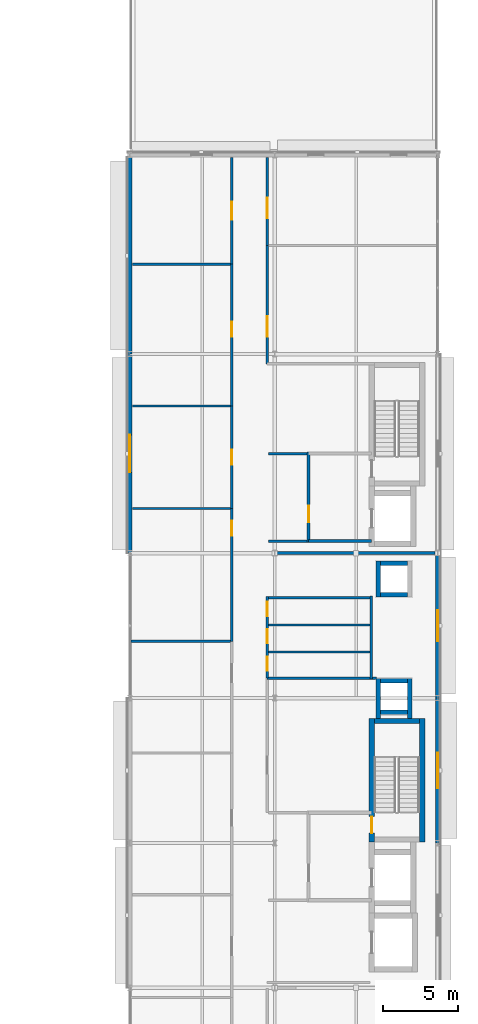
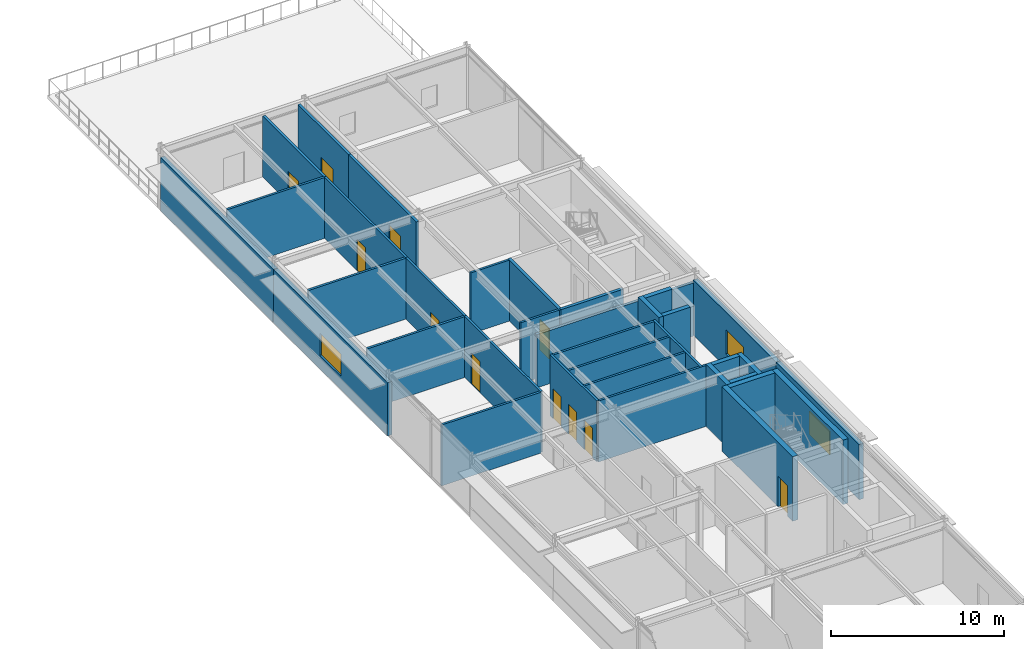
# One storey, part 16 of 22: 35 walls, 11 doors, 3 windows, 14 openings.
"""IFC4 building model written with IfcOpenShell, lengths in metres."""

from ifc_helpers import new_model, si_unit, direction, frame, frame_2d, origin, place, context, subcontext, project, spatial, rectangle, extrude, material, layer, layer_set, type_object, element, fill, save


model = new_model("IFC4")

# Units and contexts
model_context = context("Model", 3, precision=1e-05, world=origin(), true_north=direction((0.0, 1.0)))
body_context = subcontext(model_context, "Body", "Model", "MODEL_VIEW")
ifc_project = project(units=[si_unit("LENGTHUNIT", "METRE"), si_unit("AREAUNIT", "SQUARE_METRE"), si_unit("VOLUMEUNIT", "CUBIC_METRE"), si_unit("PLANEANGLEUNIT", "RADIAN"), si_unit("MASSUNIT", "GRAM", prefix="KILO")], contexts=[model_context])

# Site, building, storey
site_placement = place(None, origin())
site = spatial("IfcSite", under=ifc_project, at=site_placement, CompositionType="ELEMENT")
building_placement = place(site_placement, origin())
building = spatial("IfcBuilding", under=site, at=building_placement, Name="Almandine Court Research Institute", CompositionType="ELEMENT")
storey_placement = place(building_placement, frame((0.0, 0.0, 28.0)))
storey = spatial("IfcBuildingStorey", under=building, at=storey_placement, Name="L06", CompositionType="ELEMENT", Elevation=28.0)

# Wall, opening, window
ifc_material_1 = material(Name="Insulated Ochre Terracotta Rainscreen Wall", Category="masonry")
ifc_layer_1 = layer(ifc_material_1, 0.2900390625)
ifc_layer_set_1 = layer_set([ifc_layer_1], Name="Insulated Ochre Terracotta Rainscreen Wall")
wall_type_1 = type_object("IfcWallType", Name="Wall-EXT-TERR-290", PredefinedType="SOLIDWALL", material=ifc_layer_set_1)
wall_1_placement = place(storey_placement, frame((153.60009765625, 44.404052734375, 0.0), z_axis=(0.0, 0.0, 1.0), x_axis=(0.0, 1.0, 0.0)))
wall_1 = element("IfcWall", 1, at=wall_1_placement, inside=storey, type_object=wall_type_1, Name="L06 Wet Lab West Facade Wall 5", PredefinedType="SOLIDWALL", context=body_context, shape_type="SweptSolid", body=[
    extrude(rectangle(XDim=13.19189453125, YDim=0.2900390625, at=frame_2d((6.595947265625, 0.0))), origin(), (0.0, 0.0, 1.0), 3.757080078125),
])
opening_1_placement = place(wall_1_placement, frame((5.35595703125, 0.0, 0.949951171875)))
opening_1 = element("IfcOpeningElement", 2, at=opening_1_placement, cuts=wall_1, Name="Opening WN-70", PredefinedType="OPENING", context=body_context, shape_type="SweptSolid", body=[
    extrude(rectangle(XDim=2.47998046875, YDim=1.56005859375, at=frame_2d((1.239990234375, 0.780029296875))), frame((0.0, 0.155029296875, 0.0), z_axis=(0.0, -1.0, 0.0), x_axis=(1.0, 0.0, 0.0)), (0.0, 0.0, 1.0), 0.31005859375),
])
ifc_material_2 = material(Name="Thermally Broken Low-E Double-Glazed Window", Category="glass")
window_type_1 = type_object("IfcWindowType", Name="Win-WN-70-2480x1560", PartitioningType="SINGLE_PANEL", PredefinedType="WINDOW", material=ifc_material_2)
window_1_placement = place(opening_1_placement, origin())
window_1 = element("IfcWindow", 3, at=window_1_placement, inside=storey, type_object=window_type_1, Name="L06 Modular Recessed Low-E Window 159", OverallHeight=1.56005859375, OverallWidth=2.47998046875, PartitioningType="SINGLE_PANEL", PredefinedType="WINDOW", context=body_context, shape_type="SweptSolid", body=[
    extrude(rectangle(XDim=2.47998046875, YDim=1.56005859375, at=frame_2d((1.239990234375, 0.780029296875))), frame((0.0, 0.030029296875, 0.0), z_axis=(0.0, -1.0, 0.0), x_axis=(1.0, 0.0, 0.0)), (0.0, 0.0, 1.0), 0.06005859375),
])
fill(opening_1, window_1)

# Wall
wall_2_placement = place(storey_placement, frame((153.60009765625, 57.60400390625, 0.0), z_axis=(0.0, 0.0, 1.0), x_axis=(0.0, 1.0, 0.0)))
element("IfcWall", 4, at=wall_2_placement, inside=storey, type_object=wall_type_1, Name="L06 Wet Lab West Facade Wall 6", PredefinedType="SOLIDWALL", context=body_context, shape_type="SweptSolid", body=[
    extrude(rectangle(XDim=13.046875, YDim=0.2900390625, at=frame_2d((6.5234375, 0.0))), origin(), (0.0, 0.0, 1.0), 3.757080078125),
])

# Wall, opening, window
wall_3_placement = place(storey_placement, frame((174.0, 44.39599609375, 0.0), z_axis=(0.0, 0.0, 1.0), x_axis=(0.0, -1.0, 0.0)))
wall_3 = element("IfcWall", 5, at=wall_3_placement, inside=storey, type_object=wall_type_1, Name="L06 Wet Lab East Facade Wall 4", PredefinedType="SOLIDWALL", context=body_context, shape_type="SweptSolid", body=[
    extrude(rectangle(XDim=9.592041015625, YDim=0.2900390625, at=frame_2d((4.7958984375, 0.0))), origin(), (0.0, 0.0, 1.0), 3.89892578125),
])
opening_2_placement = place(wall_3_placement, frame((3.77587890625, 0.0, 0.949951171875)))
opening_2 = element("IfcOpeningElement", 6, at=opening_2_placement, cuts=wall_3, Name="Opening WN-87", PredefinedType="OPENING", context=body_context, shape_type="SweptSolid", body=[
    extrude(rectangle(XDim=2.0400390625, YDim=1.719970703125, at=frame_2d((1.02001953125, 0.85986328125))), frame((0.0, 0.155029296875, 0.0), z_axis=(0.0, -1.0, 0.0), x_axis=(1.0, 0.0, 0.0)), (0.0, 0.0, 1.0), 0.31005859375),
])
window_type_2 = type_object("IfcWindowType", Name="Win-WN-87-2040x1720", PartitioningType="SINGLE_PANEL", PredefinedType="WINDOW", material=ifc_material_2)
window_2_placement = place(opening_2_placement, origin())
window_2 = element("IfcWindow", 7, at=window_2_placement, inside=storey, type_object=window_type_2, Name="L06 Modular Recessed Low-E Window 163", OverallHeight=1.719970703125, OverallWidth=2.0400390625, PartitioningType="SINGLE_PANEL", PredefinedType="WINDOW", context=body_context, shape_type="SweptSolid", body=[
    extrude(rectangle(XDim=2.0400390625, YDim=1.719970703125, at=frame_2d((1.02001953125, 0.85986328125))), frame((0.0, 0.030029296875, 0.0), z_axis=(0.0, -1.0, 0.0), x_axis=(1.0, 0.0, 0.0)), (0.0, 0.0, 1.0), 0.06005859375),
])
fill(opening_2, window_2)

wall_4_placement = place(storey_placement, frame((174.0, 34.7958984375, 0.0), z_axis=(0.0, 0.0, 1.0), x_axis=(0.0, -1.0, 0.0)))
wall_4 = element("IfcWall", 8, at=wall_4_placement, inside=storey, type_object=wall_type_1, Name="L06 Wet Lab East Facade Wall 3", PredefinedType="SOLIDWALL", context=body_context, shape_type="SweptSolid", body=[
    extrude(rectangle(XDim=9.591796875, YDim=0.2900390625, at=frame_2d((4.7958984375, 0.0))), origin(), (0.0, 0.0, 1.0), 3.89892578125),
])
opening_3_placement = place(wall_4_placement, frame((3.611083984375, 0.0, 0.949951171875)))
opening_3 = element("IfcOpeningElement", 9, at=opening_3_placement, cuts=wall_4, Name="Opening WN-88", PredefinedType="OPENING", context=body_context, shape_type="SweptSolid", body=[
    extrude(rectangle(XDim=2.3701171875, YDim=1.639892578125, at=frame_2d((1.18505859375, 0.81982421875))), frame((0.0, 0.155029296875, 0.0), z_axis=(0.0, -1.0, 0.0), x_axis=(1.0, 0.0, 0.0)), (0.0, 0.0, 1.0), 0.31005859375),
])
window_type_3 = type_object("IfcWindowType", Name="Win-WN-88-2370x1640", PartitioningType="SINGLE_PANEL", PredefinedType="WINDOW", material=ifc_material_2)
window_3_placement = place(opening_3_placement, origin())
window_3 = element("IfcWindow", 10, at=window_3_placement, inside=storey, type_object=window_type_3, Name="L06 Modular Recessed Low-E Window 164", OverallHeight=1.639892578125, OverallWidth=2.3701171875, PartitioningType="SINGLE_PANEL", PredefinedType="WINDOW", context=body_context, shape_type="SweptSolid", body=[
    extrude(rectangle(XDim=2.3701171875, YDim=1.639892578125, at=frame_2d((1.18505859375, 0.81982421875))), frame((0.0, 0.030029296875, 0.0), z_axis=(0.0, -1.0, 0.0), x_axis=(1.0, 0.0, 0.0)), (0.0, 0.0, 1.0), 0.06005859375),
])
fill(opening_3, window_3)

# Wall, opening, door
ifc_material_3 = material(Name="One-Hour Fire-Rated Laboratory Partition")
ifc_layer_2 = layer(ifc_material_3, 0.175048828125)
ifc_layer_set_2 = layer_set([ifc_layer_2], Name="One-Hour Fire-Rated Laboratory Partition")
wall_type_2 = type_object("IfcWallType", Name="Wall-FIRE-175", PredefinedType="PARTITIONING", material=ifc_layer_set_2)
wall_5_placement = place(storey_placement, frame((160.35009765625, 63.56005859375, 0.0), z_axis=(0.0, 0.0, 1.0), x_axis=(0.0, 1.0, 0.0)))
wall_5 = element("IfcWall", 11, at=wall_5_placement, inside=storey, type_object=wall_type_2, Name="L06 Interior Partition W-V4-L06-WW-7", PredefinedType="PARTITIONING", context=body_context, shape_type="SweptSolid", body=[
    extrude(rectangle(XDim=7.079833984375, YDim=0.175048828125, at=frame_2d((3.5400390625, 0.0))), origin(), (0.0, 0.0, 1.0), 4.300048828125),
])
opening_4_placement = place(wall_5_placement, frame((2.93994140625, 0.0, 0.0)))
opening_4 = element("IfcOpeningElement", 12, at=opening_4_placement, cuts=wall_5, Name="Opening FD-LAB", PredefinedType="OPENING", context=body_context, shape_type="SweptSolid", body=[
    extrude(rectangle(XDim=1.199951171875, YDim=2.199951171875, at=frame_2d((0.60009765625, 1.10009765625))), frame((0.0, 0.097412109375, 0.0), z_axis=(0.0, -1.0, 0.0), x_axis=(1.0, 0.0, 0.0)), (0.0, 0.0, 1.0), 0.195068359375),
])
ifc_material_4 = material(Name="Fire-Rated Laboratory Containment Door")
door_type_1 = type_object("IfcDoorType", Name="Door-FD-LAB-1200", OperationType="NOTDEFINED", PredefinedType="DOOR", material=ifc_material_4)
door_1_placement = place(opening_4_placement, origin())
door_1 = element("IfcDoor", 13, at=door_1_placement, inside=storey, type_object=door_type_1, Name="L06 Wet Chemistry Laboratory Door", OperationType="SINGLE_SWING_RIGHT", OverallHeight=2.199951171875, OverallWidth=1.199951171875, PredefinedType="DOOR", context=body_context, shape_type="SweptSolid", body=[
    extrude(rectangle(XDim=1.199951171875, YDim=2.199951171875, at=frame_2d((0.60009765625, 1.10009765625))), frame((0.0, 0.02490234375, 0.0), z_axis=(0.0, -1.0, 0.0), x_axis=(1.0, 0.0, 0.0)), (0.0, 0.0, 1.0), 0.050048828125),
])
fill(opening_4, door_1)

wall_6_placement = place(storey_placement, frame((162.699951171875, 56.949951171875, 0.0), z_axis=(0.0, 0.0, 1.0), x_axis=(0.0, 1.0, 0.0)))
wall_6 = element("IfcWall", 14, at=wall_6_placement, inside=storey, type_object=wall_type_2, Name="L06 Interior Partition W-V4-L06-EW-N1", PredefinedType="PARTITIONING", context=body_context, shape_type="SweptSolid", body=[
    extrude(rectangle(XDim=7.844970703125, YDim=0.175048828125, at=frame_2d((3.92236328125, 0.0))), origin(), (0.0, 0.0, 1.0), 4.300048828125),
])
opening_5_placement = place(wall_6_placement, frame((1.800048828125, 0.0, 0.0)))
opening_5 = element("IfcOpeningElement", 15, at=opening_5_placement, cuts=wall_6, Name="Opening FD-LB2", PredefinedType="OPENING", context=body_context, shape_type="SweptSolid", body=[
    extrude(rectangle(XDim=1.35009765625, YDim=2.199951171875, at=frame_2d((0.675048828125, 1.10009765625))), frame((0.0, 0.097412109375, 0.0), z_axis=(0.0, -1.0, 0.0), x_axis=(1.0, 0.0, 0.0)), (0.0, 0.0, 1.0), 0.195068359375),
])
ifc_material_5 = material(Name="Wide Fire-Rated Cleanroom and Lab Door")
door_type_2 = type_object("IfcDoorType", Name="Door-FD-LAB-1350", OperationType="NOTDEFINED", PredefinedType="DOOR", material=ifc_material_5)
door_2_placement = place(opening_5_placement, origin())
door_2 = element("IfcDoor", 16, at=door_2_placement, inside=storey, type_object=door_type_2, Name="L06 East Wet Chemistry Lab Door", OperationType="SINGLE_SWING_LEFT", OverallHeight=2.199951171875, OverallWidth=1.35009765625, PredefinedType="DOOR", context=body_context, shape_type="SweptSolid", body=[
    extrude(rectangle(XDim=1.35009765625, YDim=2.199951171875, at=frame_2d((0.675048828125, 1.10009765625))), frame((0.0, 0.02490234375, 0.0), z_axis=(0.0, -1.0, 0.0), x_axis=(1.0, 0.0, 0.0)), (0.0, 0.0, 1.0), 0.050048828125),
])
fill(opening_5, door_2)

wall_7_placement = place(storey_placement, frame((162.699951171875, 64.794921875, 0.0), z_axis=(0.0, 0.0, 1.0), x_axis=(0.0, 1.0, 0.0)))
wall_7 = element("IfcWall", 17, at=wall_7_placement, inside=storey, type_object=wall_type_2, Name="L06 Interior Partition W-V4-L06-EW-N2", PredefinedType="PARTITIONING", context=body_context, shape_type="SweptSolid", body=[
    extrude(rectangle(XDim=5.844970703125, YDim=0.175048828125, at=frame_2d((2.92236328125, 0.0))), origin(), (0.0, 0.0, 1.0), 4.300048828125),
])
opening_6_placement = place(wall_7_placement, frame((1.800048828125, 0.0, 0.0)))
opening_6 = element("IfcOpeningElement", 18, at=opening_6_placement, cuts=wall_7, Name="Opening FD-LB2", PredefinedType="OPENING", context=body_context, shape_type="SweptSolid", body=[
    extrude(rectangle(XDim=1.35009765625, YDim=2.199951171875, at=frame_2d((0.675048828125, 1.10009765625))), frame((0.0, 0.097412109375, 0.0), z_axis=(0.0, -1.0, 0.0), x_axis=(1.0, 0.0, 0.0)), (0.0, 0.0, 1.0), 0.195068359375),
])
door_3_placement = place(opening_6_placement, origin())
door_3 = element("IfcDoor", 19, at=door_3_placement, inside=storey, type_object=door_type_2, Name="L06 East BSL-2 Lab Door", OperationType="SINGLE_SWING_RIGHT", OverallHeight=2.199951171875, OverallWidth=1.35009765625, PredefinedType="DOOR", context=body_context, shape_type="SweptSolid", body=[
    extrude(rectangle(XDim=1.35009765625, YDim=2.199951171875, at=frame_2d((0.675048828125, 1.10009765625))), frame((0.0, 0.02490234375, 0.0), z_axis=(0.0, -1.0, 0.0), x_axis=(1.0, 0.0, 0.0)), (0.0, 0.0, 1.0), 0.050048828125),
])
fill(opening_6, door_3)

# Wall
ifc_material_6 = material(Name="Two-Hour Fire-Barrier Enclosure Wall")
ifc_layer_3 = layer(ifc_material_6, 0.199951171875)
ifc_layer_set_3 = layer_set([ifc_layer_3], Name="Two-Hour Fire-Barrier Enclosure Wall")
wall_type_3 = type_object("IfcWallType", Name="Wall-FIRE-200", PredefinedType="SOLIDWALL", material=ifc_layer_set_3)
wall_8_placement = place(storey_placement, frame((163.360107421875, 44.39990234375, 0.0), z_axis=(0.0, 0.0, 1.0), x_axis=(1.0, 0.0, 0.0)))
element("IfcWall", 20, at=wall_8_placement, inside=storey, type_object=wall_type_3, Name="L06 Interior Partition W-BF-V4-BF2-L06", PredefinedType="SOLIDWALL", context=body_context, shape_type="SweptSolid", body=[
    extrude(rectangle(XDim=10.47998046875, YDim=0.199951171875, at=frame_2d((5.239990234375, 0.0))), origin(), (0.0, 0.0, 1.0), 3.7529296875),
])

# Wall, opening, door
wall_9_placement = place(storey_placement, frame((165.449951171875, 45.10009765625, 0.0), z_axis=(0.0, 0.0, 1.0), x_axis=(0.0, 1.0, 0.0)))
wall_9 = element("IfcWall", 21, at=wall_9_placement, inside=storey, type_object=wall_type_3, Name="L06 Interior Partition W-FFL2-L06-W", PredefinedType="SOLIDWALL", context=body_context, shape_type="SweptSolid", body=[
    extrude(rectangle(XDim=6.0, YDim=0.199951171875, at=frame_2d((3.0, 0.0))), origin(), (0.0, 0.0, 1.0), 4.300048828125),
])
opening_7_placement = place(wall_9_placement, frame((1.35009765625, 0.0, 0.0)))
opening_7 = element("IfcOpeningElement", 22, at=opening_7_placement, cuts=wall_9, Name="Opening FD-FFL", PredefinedType="OPENING", context=body_context, shape_type="SweptSolid", body=[
    extrude(rectangle(XDim=1.10009765625, YDim=2.14990234375, at=frame_2d((0.550048828125, 1.074951171875))), frame((0.0, 0.10986328125, 0.0), z_axis=(0.0, -1.0, 0.0), x_axis=(1.0, 0.0, 0.0)), (0.0, 0.0, 1.0), 0.219970703125),
])
ifc_material_7 = material(Name="Smoke-Tight Firefighting Lobby Fire Door")
door_type_3 = type_object("IfcDoorType", Name="Door-FD-FFL-1100", OperationType="NOTDEFINED", PredefinedType="DOOR", material=ifc_material_7)
door_4_placement = place(opening_7_placement, origin())
door_4 = element("IfcDoor", 23, at=door_4_placement, inside=storey, type_object=door_type_3, Name="L06 Firefighting Lobby Fire Door 2", OperationType="SINGLE_SWING_RIGHT", OverallHeight=2.14990234375, OverallWidth=1.10009765625, PredefinedType="DOOR", context=body_context, shape_type="SweptSolid", body=[
    extrude(rectangle(XDim=1.10009765625, YDim=2.14990234375, at=frame_2d((0.550048828125, 1.074951171875))), frame((0.0, 0.02490234375, 0.0), z_axis=(0.0, -1.0, 0.0), x_axis=(1.0, 0.0, 0.0)), (0.0, 0.0, 1.0), 0.050048828125),
])
fill(opening_7, door_4)

# Walls
wall_10_placement = place(storey_placement, frame((165.449951171875, 45.199951171875, 0.0), z_axis=(0.0, 0.0, 1.0), x_axis=(1.0, 0.0, 0.0)))
element("IfcWall", 24, at=wall_10_placement, inside=storey, type_object=wall_type_3, Name="L06 Interior Partition W-FFL2-L06-S", PredefinedType="SOLIDWALL", context=body_context, shape_type="SweptSolid", body=[
    extrude(rectangle(XDim=4.150146484375, YDim=0.199951171875, at=frame_2d((2.0751953125, 0.0))), origin(), (0.0, 0.0, 1.0), 4.300048828125),
])
ifc_material_8 = material(Name="Acoustic Steel-Stud Gypsum Partition Wall", Category="steel")
ifc_layer_4 = layer(ifc_material_8, 0.14990234375)
ifc_layer_set_4 = layer_set([ifc_layer_4], Name="Acoustic Steel-Stud Gypsum Partition Wall")
wall_type_4 = type_object("IfcWallType", Name="Wall-PART-150", PredefinedType="PARTITIONING", material=ifc_layer_set_4)
for number, where, z_axis, x_axis, name in (
    (25, (162.699951171875, 37.85009765625, 0.0), (0.0, 0.0, 1.0), (1.0, 0.0, 0.0), "L06 Interior Partition W-V4-L06-WCH-1"),
    (26, (162.699951171875, 39.64990234375, 0.0), (0.0, 0.0, 1.0), (1.0, 0.0, 0.0), "L06 Interior Partition W-V4-L06-WCH-2"),
    (27, (162.699951171875, 41.449951171875, 0.0), (0.0, 0.0, 1.0), (1.0, 0.0, 0.0), "L06 Interior Partition W-V4-L06-WCH-3"),
):
    element("IfcWall", number, at=place(storey_placement, frame(where, z_axis=z_axis, x_axis=x_axis)), inside=storey, type_object=wall_type_4, Name=name, PredefinedType="PARTITIONING", context=body_context, shape_type="SweptSolid", body=[
        extrude(rectangle(XDim=6.900146484375, YDim=0.14990234375, at=frame_2d((3.4501953125, 0.0))), origin(), (0.0, 0.0, 1.0), 4.300048828125),
    ])
wall_11_placement = place(storey_placement, frame((162.699951171875, 36.1201171875, 0.0), z_axis=(0.0, 0.0, 1.0), x_axis=(1.0, 0.0, 0.0)))
element("IfcWall", 28, at=wall_11_placement, inside=storey, type_object=wall_type_4, Name="L06 Interior Partition W-V4-L06-WCS", PredefinedType="PARTITIONING", context=body_context, shape_type="SweptSolid", body=[
    extrude(rectangle(XDim=7.25, YDim=0.14990234375, at=frame_2d((3.625, 0.0))), origin(), (0.0, 0.0, 1.0), 4.300048828125),
])
wall_12_placement = place(storey_placement, frame((169.60009765625, 36.050048828125, 0.0), z_axis=(0.0, 0.0, 1.0), x_axis=(0.0, 1.0, 0.0)))
element("IfcWall", 29, at=wall_12_placement, inside=storey, type_object=wall_type_4, Name="L06 Interior Partition W-V4-L06-WCEAST", PredefinedType="PARTITIONING", context=body_context, shape_type="SweptSolid", body=[
    extrude(rectangle(XDim=5.5, YDim=0.14990234375, at=frame_2d((2.75, 0.0))), origin(), (0.0, 0.0, 1.0), 4.300048828125),
])

# Wall, openings, doors
wall_13_placement = place(storey_placement, frame((162.699951171875, 36.1201171875, 0.0), z_axis=(0.0, 0.0, 1.0), x_axis=(0.0, 1.0, 0.0)))
wall_13 = element("IfcWall", 30, at=wall_13_placement, inside=storey, type_object=wall_type_4, Name="L06 Interior Partition W-V4-L06-WC-ALL", PredefinedType="PARTITIONING", context=body_context, shape_type="SweptSolid", body=[
    extrude(rectangle(XDim=5.39990234375, YDim=0.14990234375, at=frame_2d((2.699951171875, 0.0))), origin(), (0.0, 0.0, 1.0), 4.300048828125),
])
opening_8_placement = place(wall_13_placement, frame((0.47998046875, 0.0, 0.0)))
opening_8 = element("IfcOpeningElement", 31, at=opening_8_placement, cuts=wall_13, Name="Opening D-01", PredefinedType="OPENING", context=body_context, shape_type="SweptSolid", body=[
    extrude(rectangle(XDim=0.949951171875, YDim=2.10009765625, at=frame_2d((0.47509765625, 1.050048828125))), frame((0.0, 0.0849609375, 0.0), z_axis=(0.0, -1.0, 0.0), x_axis=(1.0, 0.0, 0.0)), (0.0, 0.0, 1.0), 0.169921875),
])
opening_9_placement = place(wall_13_placement, frame((2.300048828125, 0.0, 0.0)))
opening_9 = element("IfcOpeningElement", 32, at=opening_9_placement, cuts=wall_13, Name="Opening D-01", PredefinedType="OPENING", context=body_context, shape_type="SweptSolid", body=[
    extrude(rectangle(XDim=0.949951171875, YDim=2.10009765625, at=frame_2d((0.47509765625, 1.050048828125))), frame((0.0, 0.0849609375, 0.0), z_axis=(0.0, -1.0, 0.0), x_axis=(1.0, 0.0, 0.0)), (0.0, 0.0, 1.0), 0.169921875),
])
opening_10_placement = place(wall_13_placement, frame((4.10009765625, 0.0, 0.0)))
opening_10 = element("IfcOpeningElement", 33, at=opening_10_placement, cuts=wall_13, Name="Opening D-01", PredefinedType="OPENING", context=body_context, shape_type="SweptSolid", body=[
    extrude(rectangle(XDim=0.949951171875, YDim=2.10009765625, at=frame_2d((0.47509765625, 1.050048828125))), frame((0.0, 0.0849609375, 0.0), z_axis=(0.0, -1.0, 0.0), x_axis=(1.0, 0.0, 0.0)), (0.0, 0.0, 1.0), 0.169921875),
])
ifc_material_9 = material(Name="Solid-Core Timber Acoustic Room Door", Category="wood")
door_type_4 = type_object("IfcDoorType", Name="Door-INT-950", OperationType="NOTDEFINED", PredefinedType="DOOR", material=ifc_material_9)
door_5_placement = place(opening_8_placement, origin())
door_5 = element("IfcDoor", 34, at=door_5_placement, inside=storey, type_object=door_type_4, Name="L06 V4 Male Toilet Door", OperationType="SINGLE_SWING_RIGHT", OverallHeight=2.10009765625, OverallWidth=0.949951171875, PredefinedType="DOOR", context=body_context, shape_type="SweptSolid", body=[
    extrude(rectangle(XDim=0.949951171875, YDim=2.10009765625, at=frame_2d((0.47509765625, 1.050048828125))), frame((0.0, 0.02490234375, 0.0), z_axis=(0.0, -1.0, 0.0), x_axis=(1.0, 0.0, 0.0)), (0.0, 0.0, 1.0), 0.050048828125),
])
fill(opening_8, door_5)
door_6_placement = place(opening_9_placement, origin())
door_6 = element("IfcDoor", 35, at=door_6_placement, inside=storey, type_object=door_type_4, Name="L06 V4 Female Toilet Door", OperationType="SINGLE_SWING_LEFT", OverallHeight=2.10009765625, OverallWidth=0.949951171875, PredefinedType="DOOR", context=body_context, shape_type="SweptSolid", body=[
    extrude(rectangle(XDim=0.949951171875, YDim=2.10009765625, at=frame_2d((0.47509765625, 1.050048828125))), frame((0.0, 0.02490234375, 0.0), z_axis=(0.0, -1.0, 0.0), x_axis=(1.0, 0.0, 0.0)), (0.0, 0.0, 1.0), 0.050048828125),
])
fill(opening_9, door_6)
door_7_placement = place(opening_10_placement, origin())
door_7 = element("IfcDoor", 36, at=door_7_placement, inside=storey, type_object=door_type_4, Name="L06 V4 Accessible WC Door", OperationType="SINGLE_SWING_RIGHT", OverallHeight=2.10009765625, OverallWidth=0.949951171875, PredefinedType="DOOR", context=body_context, shape_type="SweptSolid", body=[
    extrude(rectangle(XDim=0.949951171875, YDim=2.10009765625, at=frame_2d((0.47509765625, 1.050048828125))), frame((0.0, 0.02490234375, 0.0), z_axis=(0.0, -1.0, 0.0), x_axis=(1.0, 0.0, 0.0)), (0.0, 0.0, 1.0), 0.050048828125),
])
fill(opening_10, door_7)

# Wall
wall_14_placement = place(storey_placement, frame((153.659912109375, 38.56005859375, 0.0), z_axis=(0.0, 0.0, 1.0), x_axis=(1.0, 0.0, 0.0)))
element("IfcWall", 37, at=wall_14_placement, inside=storey, type_object=wall_type_4, Name="L06 Interior Partition W-V4-L06-WDIV-3", PredefinedType="PARTITIONING", context=body_context, shape_type="SweptSolid", body=[
    extrude(rectangle(XDim=6.610107421875, YDim=0.14990234375, at=frame_2d((3.30517578125, 0.0))), origin(), (0.0, 0.0, 1.0), 4.300048828125),
])

# Wall, opening, door
wall_15_placement = place(storey_placement, frame((160.35009765625, 38.56005859375, 0.0), z_axis=(0.0, 0.0, 1.0), x_axis=(0.0, 1.0, 0.0)))
wall_15 = element("IfcWall", 38, at=wall_15_placement, inside=storey, type_object=wall_type_4, Name="L06 Interior Partition W-V4-L06-WW-4", PredefinedType="PARTITIONING", context=body_context, shape_type="SweptSolid", body=[
    extrude(rectangle(XDim=8.800048828125, YDim=0.14990234375, at=frame_2d((4.39990234375, 0.0))), origin(), (0.0, 0.0, 1.0), 4.300048828125),
])
opening_11_placement = place(wall_15_placement, frame((6.989990234375, 0.0, 0.0)))
opening_11 = element("IfcOpeningElement", 39, at=opening_11_placement, cuts=wall_15, Name="Opening D-02", PredefinedType="OPENING", context=body_context, shape_type="SweptSolid", body=[
    extrude(rectangle(XDim=1.0, YDim=2.199951171875, at=frame_2d((0.5, 1.10009765625))), frame((0.0, 0.0849609375, 0.0), z_axis=(0.0, -1.0, 0.0), x_axis=(1.0, 0.0, 0.0)), (0.0, 0.0, 1.0), 0.169921875),
])
ifc_material_10 = material(Name="Solid-Core Timber Researcher Office Door", Category="wood")
door_type_5 = type_object("IfcDoorType", Name="Door-INT-1000", OperationType="NOTDEFINED", PredefinedType="DOOR", material=ifc_material_10)
door_8_placement = place(opening_11_placement, origin())
door_8 = element("IfcDoor", 40, at=door_8_placement, inside=storey, type_object=door_type_5, Name="L06 Seminar Room Door", OperationType="SINGLE_SWING_LEFT", OverallHeight=2.199951171875, OverallWidth=1.0, PredefinedType="DOOR", context=body_context, shape_type="SweptSolid", body=[
    extrude(rectangle(XDim=1.0, YDim=2.199951171875, at=frame_2d((0.5, 1.10009765625))), frame((0.0, 0.02490234375, 0.0), z_axis=(0.0, -1.0, 0.0), x_axis=(1.0, 0.0, 0.0)), (0.0, 0.0, 1.0), 0.050048828125),
])
fill(opening_11, door_8)

# Wall
wall_16_placement = place(storey_placement, frame((153.760009765625, 47.360107421875, 0.0), z_axis=(0.0, 0.0, 1.0), x_axis=(1.0, 0.0, 0.0)))
element("IfcWall", 41, at=wall_16_placement, inside=storey, type_object=wall_type_4, Name="L06 Interior Partition W-V4-L06-WDIV-4", PredefinedType="PARTITIONING", context=body_context, shape_type="SweptSolid", body=[
    extrude(rectangle(XDim=6.510009765625, YDim=0.14990234375, at=frame_2d((3.2548828125, 0.0))), origin(), (0.0, 0.0, 1.0), 4.300048828125),
])

# Wall, opening, door
wall_17_placement = place(storey_placement, frame((160.35009765625, 47.360107421875, 0.0), z_axis=(0.0, 0.0, 1.0), x_axis=(0.0, 1.0, 0.0)))
wall_17 = element("IfcWall", 42, at=wall_17_placement, inside=storey, type_object=wall_type_4, Name="L06 Interior Partition W-V4-L06-WW-5", PredefinedType="PARTITIONING", context=body_context, shape_type="SweptSolid", body=[
    extrude(rectangle(XDim=6.7998046875, YDim=0.14990234375, at=frame_2d((3.39990234375, 0.0))), origin(), (0.0, 0.0, 1.0), 4.300048828125),
])
opening_12_placement = place(wall_17_placement, frame((2.89990234375, 0.0, 0.0)))
opening_12 = element("IfcOpeningElement", 43, at=opening_12_placement, cuts=wall_17, Name="Opening D-02", PredefinedType="OPENING", context=body_context, shape_type="SweptSolid", body=[
    extrude(rectangle(XDim=1.0, YDim=2.199951171875, at=frame_2d((0.5, 1.10009765625))), frame((0.0, 0.0849609375, 0.0), z_axis=(0.0, -1.0, 0.0), x_axis=(1.0, 0.0, 0.0)), (0.0, 0.0, 1.0), 0.169921875),
])
door_9_placement = place(opening_12_placement, origin())
door_9 = element("IfcDoor", 44, at=door_9_placement, inside=storey, type_object=door_type_5, Name="L06 Instrument Room Door", OperationType="SINGLE_SWING_RIGHT", OverallHeight=2.199951171875, OverallWidth=1.0, PredefinedType="DOOR", context=body_context, shape_type="SweptSolid", body=[
    extrude(rectangle(XDim=1.0, YDim=2.199951171875, at=frame_2d((0.5, 1.10009765625))), frame((0.0, 0.02490234375, 0.0), z_axis=(0.0, -1.0, 0.0), x_axis=(1.0, 0.0, 0.0)), (0.0, 0.0, 1.0), 0.050048828125),
])
fill(opening_12, door_9)

# Wall
wall_18_placement = place(storey_placement, frame((153.760009765625, 54.159912109375, 0.0), z_axis=(0.0, 0.0, 1.0), x_axis=(1.0, 0.0, 0.0)))
element("IfcWall", 45, at=wall_18_placement, inside=storey, type_object=wall_type_4, Name="L06 Interior Partition W-V4-L06-WDIV-5", PredefinedType="PARTITIONING", context=body_context, shape_type="SweptSolid", body=[
    extrude(rectangle(XDim=6.510009765625, YDim=0.14990234375, at=frame_2d((3.2548828125, 0.0))), origin(), (0.0, 0.0, 1.0), 4.300048828125),
])

# Wall, opening, door
wall_19_placement = place(storey_placement, frame((160.35009765625, 54.159912109375, 0.0), z_axis=(0.0, 0.0, 1.0), x_axis=(0.0, 1.0, 0.0)))
wall_19 = element("IfcWall", 46, at=wall_19_placement, inside=storey, type_object=wall_type_4, Name="L06 Interior Partition W-V4-L06-WW-6", PredefinedType="PARTITIONING", context=body_context, shape_type="SweptSolid", body=[
    extrude(rectangle(XDim=9.400146484375, YDim=0.14990234375, at=frame_2d((4.7001953125, 0.0))), origin(), (0.0, 0.0, 1.0), 4.300048828125),
])
opening_13_placement = place(wall_19_placement, frame((4.590087890625, 0.0, 0.0)))
opening_13 = element("IfcOpeningElement", 47, at=opening_13_placement, cuts=wall_19, Name="Opening D-02", PredefinedType="OPENING", context=body_context, shape_type="SweptSolid", body=[
    extrude(rectangle(XDim=1.0, YDim=2.199951171875, at=frame_2d((0.5, 1.10009765625))), frame((0.0, 0.0849609375, 0.0), z_axis=(0.0, -1.0, 0.0), x_axis=(1.0, 0.0, 0.0)), (0.0, 0.0, 1.0), 0.169921875),
])
door_10_placement = place(opening_13_placement, origin())
door_10 = element("IfcDoor", 48, at=door_10_placement, inside=storey, type_object=door_type_5, Name="L06 Write-up Office Door", OperationType="SINGLE_SWING_LEFT", OverallHeight=2.199951171875, OverallWidth=1.0, PredefinedType="DOOR", context=body_context, shape_type="SweptSolid", body=[
    extrude(rectangle(XDim=1.0, YDim=2.199951171875, at=frame_2d((0.5, 1.10009765625))), frame((0.0, 0.02490234375, 0.0), z_axis=(0.0, -1.0, 0.0), x_axis=(1.0, 0.0, 0.0)), (0.0, 0.0, 1.0), 0.050048828125),
])
fill(opening_13, door_10)

# Walls
wall_20_placement = place(storey_placement, frame((153.760009765625, 63.56005859375, 0.0), z_axis=(0.0, 0.0, 1.0), x_axis=(1.0, 0.0, 0.0)))
element("IfcWall", 49, at=wall_20_placement, inside=storey, type_object=wall_type_4, Name="L06 Interior Partition W-V4-L06-WDIV-6", PredefinedType="PARTITIONING", context=body_context, shape_type="SweptSolid", body=[
    extrude(rectangle(XDim=6.510009765625, YDim=0.14990234375, at=frame_2d((3.2548828125, 0.0))), origin(), (0.0, 0.0, 1.0), 4.300048828125),
])
for number, where, z_axis, x_axis, name in (
    (50, (162.780029296875, 45.199951171875, 0.0), (0.0, 0.0, 1.0), (1.0, 0.0, 0.0), "L06 Interior Partition W-V4-L06-FFL2-CS"),
    (51, (162.780029296875, 51.0, 0.0), (0.0, 0.0, 1.0), (1.0, 0.0, 0.0), "L06 Interior Partition W-V4-L06-FFL2-CN"),
):
    element("IfcWall", number, at=place(storey_placement, frame(where, z_axis=z_axis, x_axis=x_axis)), inside=storey, type_object=wall_type_4, Name=name, PredefinedType="PARTITIONING", context=body_context, shape_type="SweptSolid", body=[
        extrude(rectangle(XDim=2.570068359375, YDim=0.14990234375, at=frame_2d((1.28515625, 0.0))), origin(), (0.0, 0.0, 1.0), 4.300048828125),
    ])
ifc_material_11 = material(Name="Concrete C40/50", Category="concrete")
ifc_layer_5 = layer(ifc_material_11, 0.300048828125)
ifc_layer_set_5 = layer_set([ifc_layer_5], Name="Concrete C40/50")
wall_type_5 = type_object("IfcWallType", Name="Wall-SW-CORE-300", PredefinedType="SHEAR", material=ifc_layer_set_5)
wall_21_placement = place(storey_placement, frame((170.050048828125, 33.449951171875, 0.0), z_axis=(0.0, 0.0, 1.0), x_axis=(0.0, 1.0, 0.0)))
element("IfcWall", 52, at=wall_21_placement, inside=storey, type_object=wall_type_5, Name="L06 MEP Riser RS-V4A W Shear Wall", PredefinedType="SHEAR", context=body_context, shape_type="SweptSolid", body=[
    extrude(rectangle(XDim=2.650146484375, YDim=0.300048828125, at=frame_2d((1.3251953125, 0.0))), origin(), (0.0, 0.0, 1.0), 4.3701171875),
])
wall_22_placement = place(storey_placement, frame((170.199951171875, 35.949951171875, 0.0), z_axis=(0.0, 0.0, 1.0), x_axis=(1.0, 0.0, 0.0)))
element("IfcWall", 53, at=wall_22_placement, inside=storey, type_object=wall_type_5, Name="L06 MEP Riser RS-V4A N Shear Wall", PredefinedType="SHEAR", context=body_context, shape_type="SweptSolid", body=[
    extrude(rectangle(XDim=1.800048828125, YDim=0.300048828125, at=frame_2d((0.89990234375, 0.0))), origin(), (0.0, 0.0, 1.0), 4.3701171875),
])
wall_23_placement = place(storey_placement, frame((172.14990234375, 36.10009765625, 0.0), z_axis=(0.0, 0.0, 1.0), x_axis=(0.0, -1.0, 0.0)))
element("IfcWall", 54, at=wall_23_placement, inside=storey, type_object=wall_type_5, Name="L06 MEP Riser RS-V4A E Shear Wall", PredefinedType="SHEAR", context=body_context, shape_type="SweptSolid", body=[
    extrude(rectangle(XDim=2.650146484375, YDim=0.300048828125, at=frame_2d((1.3251953125, 0.0))), origin(), (0.0, 0.0, 1.0), 4.3701171875),
])
wall_24_placement = place(storey_placement, frame((172.0, 33.85009765625, 0.0), z_axis=(0.0, 0.0, 1.0), x_axis=(-1.0, 0.0, 0.0)))
element("IfcWall", 55, at=wall_24_placement, inside=storey, type_object=wall_type_5, Name="L06 MEP Riser RS-V4A S Shear Wall", PredefinedType="SHEAR", context=body_context, shape_type="SweptSolid", body=[
    extrude(rectangle(XDim=1.800048828125, YDim=0.300048828125, at=frame_2d((0.89990234375, 0.0))), origin(), (0.0, 0.0, 1.0), 4.3701171875),
])
wall_25_placement = place(storey_placement, frame((170.050048828125, 41.5, 0.0), z_axis=(0.0, 0.0, 1.0), x_axis=(0.0, 1.0, 0.0)))
element("IfcWall", 56, at=wall_25_placement, inside=storey, type_object=wall_type_5, Name="L06 MEP Riser RS-V4B W Shear Wall", PredefinedType="SHEAR", context=body_context, shape_type="SweptSolid", body=[
    extrude(rectangle(XDim=2.39990234375, YDim=0.300048828125, at=frame_2d((1.199951171875, 0.0))), origin(), (0.0, 0.0, 1.0), 4.3701171875),
])
for number, where, z_axis, x_axis, name in (
    (57, (170.199951171875, 43.75, 0.0), (0.0, 0.0, 1.0), (1.0, 0.0, 0.0), "L06 MEP Riser RS-V4B N Shear Wall"),
    (58, (172.0, 41.64990234375, 0.0), (0.0, 0.0, 1.0), (-1.0, 0.0, 0.0), "L06 MEP Riser RS-V4B S Shear Wall"),
):
    element("IfcWall", number, at=place(storey_placement, frame(where, z_axis=z_axis, x_axis=x_axis)), inside=storey, type_object=wall_type_5, Name=name, PredefinedType="SHEAR", context=body_context, shape_type="SweptSolid", body=[
        extrude(rectangle(XDim=1.800048828125, YDim=0.300048828125, at=frame_2d((0.89990234375, 0.0))), origin(), (0.0, 0.0, 1.0), 4.3701171875),
    ])

# Wall, opening, door
ifc_layer_6 = layer(ifc_material_11, 0.35009765625)
ifc_layer_set_6 = layer_set([ifc_layer_6], Name="Concrete C40/50")
wall_type_6 = type_object("IfcWallType", Name="Wall-SW-CORE-350", PredefinedType="SHEAR", material=ifc_layer_set_6)
wall_26_placement = place(storey_placement, frame((169.625, 25.25, 0.0), z_axis=(0.0, 0.0, 1.0), x_axis=(0.0, 1.0, 0.0)))
wall_26 = element("IfcWall", 59, at=wall_26_placement, inside=storey, type_object=wall_type_6, Name="L06 ST-07 W Shear Wall", PredefinedType="SHEAR", context=body_context, shape_type="SweptSolid", body=[
    extrude(rectangle(XDim=8.199951171875, YDim=0.35009765625, at=frame_2d((4.10009765625, 0.0))), origin(), (0.0, 0.0, 1.0), 4.550048828125),
])
opening_14_placement = place(wall_26_placement, frame((0.60009765625, 0.0, 0.0)))
opening_14 = element("IfcOpeningElement", 60, at=opening_14_placement, cuts=wall_26, Name="Opening FD-STAIR", PredefinedType="OPENING", context=body_context, shape_type="SweptSolid", body=[
    extrude(rectangle(XDim=1.10009765625, YDim=2.14990234375, at=frame_2d((0.550048828125, 1.074951171875))), frame((0.0, 0.18505859375, 0.0), z_axis=(0.0, -1.0, 0.0), x_axis=(1.0, 0.0, 0.0)), (0.0, 0.0, 1.0), 0.3701171875),
])
ifc_material_12 = material(Name="Self-Closing Steel Exit Stair Fire Door", Category="steel")
door_type_6 = type_object("IfcDoorType", Name="Door-FD-STAIR-1100", OperationType="NOTDEFINED", PredefinedType="DOOR", material=ifc_material_12)
door_11_placement = place(opening_14_placement, origin())
door_11 = element("IfcDoor", 61, at=door_11_placement, inside=storey, type_object=door_type_6, Name="L06 Exit Stair ST-07 Fire Door", OperationType="SINGLE_SWING_LEFT", OverallHeight=2.14990234375, OverallWidth=1.10009765625, PredefinedType="DOOR", context=body_context, shape_type="SweptSolid", body=[
    extrude(rectangle(XDim=1.10009765625, YDim=2.14990234375, at=frame_2d((0.550048828125, 1.074951171875))), frame((0.0, 0.02490234375, 0.0), z_axis=(0.0, -1.0, 0.0), x_axis=(1.0, 0.0, 0.0)), (0.0, 0.0, 1.0), 0.050048828125),
])
fill(opening_14, door_11)

# Walls
wall_27_placement = place(storey_placement, frame((169.800048828125, 33.27490234375, 0.0), z_axis=(0.0, 0.0, 1.0), x_axis=(1.0, 0.0, 0.0)))
element("IfcWall", 62, at=wall_27_placement, inside=storey, type_object=wall_type_6, Name="L06 ST-07 N Shear Wall", PredefinedType="SHEAR", context=body_context, shape_type="SweptSolid", body=[
    extrude(rectangle(XDim=3.0, YDim=0.35009765625, at=frame_2d((1.5, 0.0))), origin(), (0.0, 0.0, 1.0), 4.550048828125),
])
wall_28_placement = place(storey_placement, frame((172.97509765625, 33.449951171875, 0.0), z_axis=(0.0, 0.0, 1.0), x_axis=(0.0, -1.0, 0.0)))
element("IfcWall", 63, at=wall_28_placement, inside=storey, type_object=wall_type_6, Name="L06 ST-07 E Shear Wall", PredefinedType="SHEAR", context=body_context, shape_type="SweptSolid", body=[
    extrude(rectangle(XDim=8.199951171875, YDim=0.35009765625, at=frame_2d((4.10009765625, 0.0))), origin(), (0.0, 0.0, 1.0), 4.550048828125),
])

save(model, "model.ifc")
